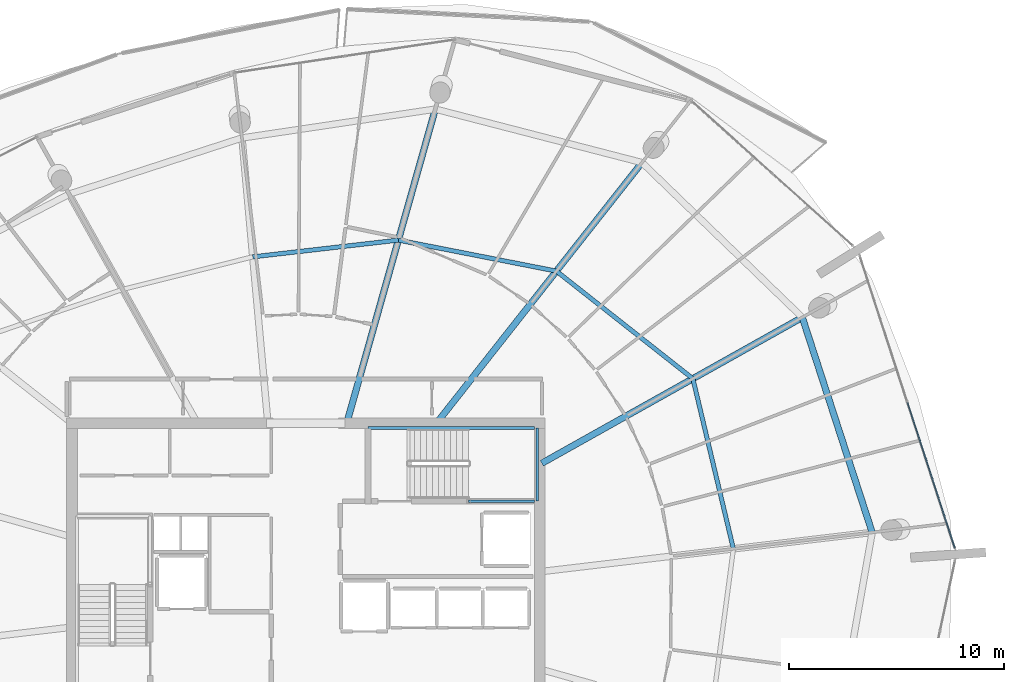
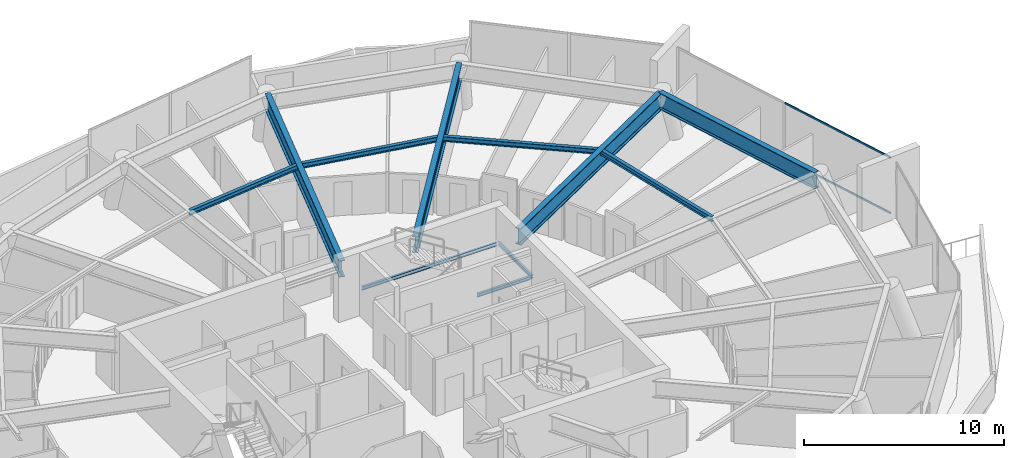
# One storey, part 14 of 30: 11 beams, 2 members, 1 element without a shape of its own.
"""IFC4 building model written with IfcOpenShell, lengths in metres."""

import ifcopenshell
import ifcopenshell.guid

model = None  # the IFC model being written
_history = None  # IfcOwnerHistory: only IFC2X3 demands one
_inside = {}  # id of a spatial element -> (the spatial element, [elements in it])
_under = {}  # id of a project, library or spatial element -> (it, [spatial elements below it])
_declared = {}  # id of a project -> (the project, [libraries it declares])
_typed = {}  # id of a type object -> (the type object, [elements of that type])
_made_of = {}  # id of a material, layer set ... -> (it, [elements and type objects made of it])


def new_model(schema):
    """Start an empty IFC model of exactly this schema.

    Asked for "IFC4X3", IfcOpenShell would pick the latest addendum, in which some entities
    have other attributes; the version numbers below select the first issue.
    IFC2X3 requires an IfcOwnerHistory on every rooted entity: one is made here for all.
    """
    global model, _history
    if schema == "IFC4X3":
        model = ifcopenshell.file(schema_version=(4, 3, 0, 0))
    else:
        model = ifcopenshell.file(schema=schema)
    _inside.clear()
    _under.clear()
    _declared.clear()
    _typed.clear()
    _made_of.clear()
    _history = None
    if model.schema == "IFC2X3":
        org = make("IfcOrganization", Name="unknown")
        user = make(
            "IfcPersonAndOrganization",
            ThePerson=make("IfcPerson", FamilyName="unknown"),
            TheOrganization=org,
        )
        app = make(
            "IfcApplication",
            ApplicationDeveloper=org,
            Version="unknown",
            ApplicationFullName="unknown",
            ApplicationIdentifier="unknown",
        )
        _history = make(
            "IfcOwnerHistory",
            OwningUser=user,
            OwningApplication=app,
            ChangeAction="ADDED",
            CreationDate=0,
        )
    return model


def make(cls, **values):
    """One entity of the class cls with the attributes given. An attribute that is None is left unset."""
    return model.create_entity(
        cls, **{name: value for name, value in values.items() if value is not None}
    )


def rooted(cls, **values):
    """An entity with a GlobalId (a new one), such as an element, a storey or a relation."""
    return make(cls, GlobalId=ifcopenshell.guid.new(), OwnerHistory=_history, **values)


def si_unit(unit_type, name, prefix=None):
    """IfcSIUnit, for example si_unit("LENGTHUNIT", "METRE", prefix="MILLI")."""
    return make("IfcSIUnit", UnitType=unit_type, Prefix=prefix, Name=name)


def assignment(units):
    """IfcUnitAssignment: the units of a project."""
    return None if units is None else make("IfcUnitAssignment", Units=units)


def point(xyz):
    """IfcCartesianPoint."""
    return None if xyz is None else make("IfcCartesianPoint", Coordinates=xyz)


def direction(xyz):
    """IfcDirection."""
    return None if xyz is None else make("IfcDirection", DirectionRatios=xyz)


def frame(location, z_axis=None, x_axis=None):
    """IfcAxis2Placement3D, a coordinate frame: its origin and axes. An axis left out is left unset."""
    return make(
        "IfcAxis2Placement3D",
        Location=point(location),
        Axis=direction(z_axis),
        RefDirection=direction(x_axis),
    )


def frame_2d(location, x_axis=None):
    """IfcAxis2Placement2D, a coordinate frame in the plane: its origin and x axis."""
    return make(
        "IfcAxis2Placement2D", Location=point(location), RefDirection=direction(x_axis)
    )


def origin():
    """The frame at (0, 0, 0) with its axes left unset."""
    return frame((0.0, 0.0, 0.0))


def origin_2d():
    """The frame at (0, 0) in the plane with its x axis left unset."""
    return frame_2d((0.0, 0.0))


def place(relative_to, where):
    """IfcLocalPlacement: puts the frame where relative to a parent placement (None: the world)."""
    return make(
        "IfcLocalPlacement", PlacementRelTo=relative_to, RelativePlacement=where
    )


def context(
    kind, dimensions, precision=None, world=None, true_north=None, identifier=None
):
    """IfcGeometricRepresentationContext, for example the 3D "Model" context."""
    return make(
        "IfcGeometricRepresentationContext",
        ContextIdentifier=identifier,
        ContextType=kind,
        CoordinateSpaceDimension=dimensions,
        Precision=precision,
        WorldCoordinateSystem=world,
        TrueNorth=true_north,
    )


def subcontext(parent, identifier, kind, view, scale=None):
    """IfcGeometricRepresentationSubContext, for example "Body" below "Model"."""
    return make(
        "IfcGeometricRepresentationSubContext",
        ContextIdentifier=identifier,
        ContextType=kind,
        ParentContext=parent,
        TargetScale=scale,
        TargetView=view,
    )


def project(units=None, contexts=None):
    """IfcProject with its units and contexts."""
    return rooted(
        "IfcProject",
        Name="project",
        RepresentationContexts=contexts,
        UnitsInContext=assignment(units),
    )


def spatial(cls, under=None, at=None, **own):
    """A site, building, storey or space (cls), placed at a placement, below another one or the project."""
    s = rooted(cls, ObjectPlacement=at, **own)
    if under is not None:
        _under.setdefault(under.id(), (under, []))[1].append(s)
    return s


def profile(cls, at=None, kind="AREA", **sizes):
    """A parametric profile (cls). Its sizes go by their IFC names, for example OverallWidth=200.0."""
    return make(cls, ProfileType=kind, Position=at, **sizes)


def rectangle(**sizes):
    """IfcRectangleProfileDef."""
    return profile("IfcRectangleProfileDef", **sizes)


def i_section(**sizes):
    """IfcIShapeProfileDef."""
    return profile("IfcIShapeProfileDef", **sizes)


def extrude(swept, where, along, depth):
    """IfcExtrudedAreaSolid: the profile swept, set in the frame where, extruded along a direction by depth."""
    return make(
        "IfcExtrudedAreaSolid",
        SweptArea=swept,
        Position=where,
        ExtrudedDirection=direction(along),
        Depth=depth,
    )


def shape(context_of_items, identifier, shape_type, items):
    """IfcShapeRepresentation: the items that make up one representation, for example the "Body"."""
    return make(
        "IfcShapeRepresentation",
        ContextOfItems=context_of_items,
        RepresentationIdentifier=identifier,
        RepresentationType=shape_type,
        Items=items,
    )


def material(Name=None, Category=None):
    """IfcMaterial."""
    return make("IfcMaterial", Name=Name, Category=Category)


def layer(
    of_material, thickness, ventilated=None, Name=None, Category=None, Priority=None
):
    """IfcMaterialLayer: one layer of a wall or slab, of a material (None: an air gap)."""
    return make(
        "IfcMaterialLayer",
        Material=of_material,
        LayerThickness=thickness,
        IsVentilated=ventilated,
        Name=Name,
        Category=Category,
        Priority=Priority,
    )


def layer_set(layers, Name=None):
    """IfcMaterialLayerSet."""
    return make("IfcMaterialLayerSet", MaterialLayers=layers, LayerSetName=Name)


def material_profile(
    of_material, cross_section, Name=None, Category=None, Priority=None
):
    """IfcMaterialProfile: a cross section and its material."""
    return make(
        "IfcMaterialProfile",
        Name=Name,
        Material=of_material,
        Profile=cross_section,
        Priority=Priority,
        Category=Category,
    )


def profile_set(profiles, Name=None, composite=None):
    """IfcMaterialProfileSet."""
    return make(
        "IfcMaterialProfileSet",
        Name=Name,
        MaterialProfiles=profiles,
        CompositeProfile=composite,
    )


def made_of(thing, what):
    """Note that an element or type object is made of a material, layer set ...; save() writes the relation."""
    if what is not None:
        _made_of.setdefault(what.id(), (what, []))[1].append(thing)
    return thing


def type_object(cls, material=None, **own):
    """A type object (cls), such as IfcWallType, which elements share."""
    return made_of(rooted(cls, **own), material)


def element(
    cls,
    number,
    at=None,
    inside=None,
    cuts=None,
    type_object=None,
    material=None,
    context=None,
    identifier="Body",
    shape_type=None,
    held_by="IfcProductDefinitionShape",
    body=None,
    shapes=None,
    **own,
):
    """One element of the class cls, such as IfcWall. Its Tag is "e" and its number.

    at: its placement. inside: the storey or other place that contains it. cuts: it is an
    opening in that element (IfcRelVoidsElement). A single representation is given by context,
    identifier, shape_type and body (its items); several are given by shapes. held_by: the class
    of the entity that holds the representations. save() writes the other relations.
    """
    e = rooted(cls, Tag="e%d" % number, ObjectPlacement=at, **own)
    if body is not None:
        shapes = [shape(context, identifier, shape_type, body)]
    if shapes is not None:
        e.Representation = make(held_by, Representations=shapes)
    if inside is not None:
        _inside.setdefault(inside.id(), (inside, []))[1].append(e)
    if cuts is not None:
        rooted(
            "IfcRelVoidsElement", RelatingBuildingElement=cuts, RelatedOpeningElement=e
        )
    if type_object is not None:
        _typed.setdefault(type_object.id(), (type_object, []))[1].append(e)
    return made_of(e, material)


def aggregate(whole, parts):
    """IfcRelAggregates: a whole, such as a stair, and the parts it consists of."""
    return rooted("IfcRelAggregates", RelatingObject=whole, RelatedObjects=parts)


def save(model, path):
    """Write the relations noted so far, then the file.

    IfcRelAggregates (storeys below a building ...), IfcRelContainedInSpatialStructure (elements
    in a storey), IfcRelDefinesByType, IfcRelAssociatesMaterial and IfcRelDeclares: one each for
    every whole, place, type object, material and project.
    """
    for whole, parts in _under.values():
        aggregate(whole, parts)
    for where, things in _inside.values():
        rooted(
            "IfcRelContainedInSpatialStructure",
            RelatedElements=things,
            RelatingStructure=where,
        )
    for kind, things in _typed.values():
        rooted("IfcRelDefinesByType", RelatedObjects=things, RelatingType=kind)
    for what, things in _made_of.values():
        rooted("IfcRelAssociatesMaterial", RelatedObjects=things, RelatingMaterial=what)
    for by, libraries in _declared.values():
        rooted("IfcRelDeclares", RelatingContext=by, RelatedDefinitions=libraries)
    model.write(path)


model = new_model("IFC4")

# Units and contexts
model_context = context("Model", 3, precision=1e-05, world=origin(), true_north=direction((0.0, 1.0)))
body_context = subcontext(model_context, "Body", "Model", "MODEL_VIEW")
ifc_project = project(units=[si_unit("LENGTHUNIT", "METRE"), si_unit("AREAUNIT", "SQUARE_METRE"), si_unit("VOLUMEUNIT", "CUBIC_METRE"), si_unit("PLANEANGLEUNIT", "RADIAN"), si_unit("MASSUNIT", "GRAM", prefix="KILO")], contexts=[model_context])

# Site, building, storey
site_placement = place(None, origin())
site = spatial("IfcSite", under=ifc_project, at=site_placement, CompositionType="ELEMENT")
building_placement = place(site_placement, origin())
building = spatial("IfcBuilding", under=site, at=building_placement, Name="Kazma Halo Residences", CompositionType="ELEMENT")
storey_placement = place(building_placement, frame((0.0, 0.0, 302.14990234375)))
storey = spatial("IfcBuildingStorey", under=building, at=storey_placement, Name="L76", CompositionType="ELEMENT", Elevation=302.14990234375)

# Beams
ifc_material_1 = material(Name="Steel S355", Category="steel")
ifc_material_profile_1 = material_profile(ifc_material_1, i_section(OverallWidth=0.202880859375, OverallDepth=0.302978515625, WebThickness=0.007568359375, FlangeThickness=0.01318359375, FilletRadius=0.013916015625, at=origin_2d()), Name="W310x60")
ifc_profile_set_1 = profile_set([ifc_material_profile_1], Name="Steel S355")
beam_type_1 = type_object("IfcBeamType", Name="BM-SEC-W310A", PredefinedType="JOIST", material=ifc_profile_set_1)
beam_1_placement = place(storey_placement, frame((66.429443359375, 52.321044921875, 3.298583984375), z_axis=(-0.785456077734, 0.618917401558, 0.0), x_axis=(-0.618917401558, -0.785456077734, 0.0)))
element("IfcBeam", 1, at=beam_1_placement, inside=storey, type_object=beam_type_1, Name="L76 circumferential floor joist 01", PredefinedType="JOIST", context=body_context, shape_type="SweptSolid", body=[
    extrude(i_section(OverallWidth=0.202880859375, OverallDepth=0.302978515625, WebThickness=0.007568359375, FlangeThickness=0.01318359375, FilletRadius=0.013916015625, at=origin_2d()), origin(), (0.0, 0.0, 1.0), 8.083251953125),
])
beam_2_placement = place(storey_placement, frame((60.080322265625, 57.323974609375, 3.298583984375), z_axis=(-0.981284903068, 0.192561520066, 0.0), x_axis=(-0.192561520066, -0.981284903068, 0.0)))
element("IfcBeam", 2, at=beam_2_placement, inside=storey, type_object=beam_type_1, Name="L76 circumferential floor joist 02", PredefinedType="JOIST", context=body_context, shape_type="SweptSolid", body=[
    extrude(i_section(OverallWidth=0.202880859375, OverallDepth=0.302978515625, WebThickness=0.007568359375, FlangeThickness=0.01318359375, FilletRadius=0.013916015625, at=origin_2d()), origin(), (0.0, 0.0, 1.0), 7.49169921875),
])
beam_3_placement = place(storey_placement, frame((52.728759765625, 58.7666015625, 3.298583984375), z_axis=(-0.993449649716, -0.114270702626, 0.0), x_axis=(0.114270702626, -0.993449649716, 0.0)))
element("IfcBeam", 3, at=beam_3_placement, inside=storey, type_object=beam_type_1, Name="L76 circumferential floor joist 03", PredefinedType="JOIST", context=body_context, shape_type="SweptSolid", body=[
    extrude(i_section(OverallWidth=0.202880859375, OverallDepth=0.302978515625, WebThickness=0.007568359375, FlangeThickness=0.01318359375, FilletRadius=0.013916015625, at=origin_2d()), origin(), (0.0, 0.0, 1.0), 6.817626953125),
])
beam_4_placement = place(storey_placement, frame((68.314697265625, 44.404296875, 3.298583984375), z_axis=(-0.231657028821, 0.972797523125, 0.0), x_axis=(-0.972797523125, -0.231657028821, 0.0)))
element("IfcBeam", 4, at=beam_4_placement, inside=storey, type_object=beam_type_1, Name="L76 circumferential floor joist 16", PredefinedType="JOIST", context=body_context, shape_type="SweptSolid", body=[
    extrude(i_section(OverallWidth=0.202880859375, OverallDepth=0.302978515625, WebThickness=0.007568359375, FlangeThickness=0.01318359375, FilletRadius=0.013916015625, at=origin_2d()), origin(), (0.0, 0.0, 1.0), 8.13818359375),
])
ifc_material_profile_2 = material_profile(ifc_material_1, i_section(OverallWidth=0.302001953125, OverallDepth=1.01806640625, WebThickness=0.021484375, FlangeThickness=0.049072265625, FilletRadius=0.028076171875, at=origin_2d()), Name="W1000x443")
ifc_profile_set_2 = profile_set([ifc_material_profile_2], Name="Steel S355")
beam_type_2 = type_object("IfcBeamType", Name="BM-TRANS-W1000A", PredefinedType="BEAM", material=ifc_profile_set_2)
beam_5_placement = place(storey_placement, frame((59.39990234375, 48.38427734375, 2.941162109375), z_axis=(0.872499122682, 0.488615678135, 0.0), x_axis=(-0.488615678135, 0.872499122682, 0.0)))
element("IfcBeam", 5, at=beam_5_placement, inside=storey, type_object=beam_type_2, Name="L76 podium radial transfer girder 01", PredefinedType="BEAM", context=body_context, shape_type="SweptSolid", body=[
    extrude(i_section(OverallWidth=0.302001953125, OverallDepth=1.01806640625, WebThickness=0.021484375, FlangeThickness=0.049072265625, FilletRadius=0.028076171875, at=origin_2d()), origin(), (0.0, 0.0, 1.0), 13.890869140625),
])
beam_6_placement = place(storey_placement, frame((54.58251953125, 50.35009765625, 2.941162109375), z_axis=(0.619098183755, 0.785313592694, 0.0), x_axis=(-0.785313592694, 0.619098183755, 0.0)))
element("IfcBeam", 6, at=beam_6_placement, inside=storey, type_object=beam_type_2, Name="L76 podium radial transfer girder 02", PredefinedType="BEAM", context=body_context, shape_type="SweptSolid", body=[
    extrude(i_section(OverallWidth=0.302001953125, OverallDepth=1.01806640625, WebThickness=0.021484375, FlangeThickness=0.049072265625, FilletRadius=0.028076171875, at=origin_2d()), origin(), (0.0, 0.0, 1.0), 15.31103515625),
])
beam_7_placement = place(storey_placement, frame((50.35498046875, 50.35009765625, 2.941162109375), z_axis=(0.271436704395, 0.962456292778, 0.0), x_axis=(-0.962456292778, 0.271436704395, 0.0)))
element("IfcBeam", 7, at=beam_7_placement, inside=storey, type_object=beam_type_2, Name="L76 podium radial transfer girder 03", PredefinedType="BEAM", context=body_context, shape_type="SweptSolid", body=[
    extrude(i_section(OverallWidth=0.302001953125, OverallDepth=1.01806640625, WebThickness=0.021484375, FlangeThickness=0.049072265625, FilletRadius=0.028076171875, at=origin_2d()), origin(), (0.0, 0.0, 1.0), 15.077392578125),
])
ifc_material_profile_3 = material_profile(ifc_material_1, i_section(OverallWidth=0.300048828125, OverallDepth=1.0, WebThickness=0.01904296875, FlangeThickness=0.0400390625, FilletRadius=0.02587890625, at=origin_2d()), Name="W1000x371")
ifc_profile_set_3 = profile_set([ifc_material_profile_3], Name="Steel S355")
beam_type_3 = type_object("IfcBeamType", Name="BM-TRANS-W1000B", PredefinedType="BEAM", material=ifc_profile_set_3)
beam_8_placement = place(storey_placement, frame((74.77001953125, 45.16845703125, 2.9501953125), z_axis=(-0.309018365076, 0.951056070926, 0.0), x_axis=(-0.951056070926, -0.309018365076, 0.0)))
element("IfcBeam", 8, at=beam_8_placement, inside=storey, type_object=beam_type_3, Name="L76 perimeter ring beam 16", PredefinedType="BEAM", context=body_context, shape_type="SweptSolid", body=[
    extrude(i_section(OverallWidth=0.300048828125, OverallDepth=1.0, WebThickness=0.01904296875, FlangeThickness=0.0400390625, FilletRadius=0.02587890625, at=origin_2d()), origin(), (0.0, 0.0, 1.0), 10.51806640625),
])
ifc_material_profile_4 = material_profile(ifc_material_1, i_section(OverallWidth=0.133056640625, OverallDepth=0.20703125, WebThickness=0.005859375, FlangeThickness=0.00830078125, FilletRadius=0.010009765625, at=origin_2d()), Name="W200x26.6")
ifc_profile_set_4 = profile_set([ifc_material_profile_4], Name="Steel S355")
beam_type_4 = type_object("IfcBeamType", Name="BM-TRIM-W200", PredefinedType="BEAM", material=ifc_profile_set_4)
beam_9_placement = place(storey_placement, frame((51.31005859375, 50.02001953125, 1.6201171875), z_axis=(1.0, 0.0, 0.0), x_axis=(0.0, 1.0, 0.0)))
element("IfcBeam", 9, at=beam_9_placement, inside=storey, type_object=beam_type_4, Name="L76 ST-02 landing north wall ledger", PredefinedType="BEAM", context=body_context, shape_type="SweptSolid", body=[
    extrude(i_section(OverallWidth=0.133056640625, OverallDepth=0.20703125, WebThickness=0.005859375, FlangeThickness=0.00830078125, FilletRadius=0.010009765625, at=origin_2d()), origin(), (0.0, 0.0, 1.0), 7.760009765625),
])
beam_10_placement = place(storey_placement, frame((56.0, 46.6201171875, 1.6201171875), z_axis=(1.0, 0.0, 0.0), x_axis=(0.0, 1.0, 0.0)))
element("IfcBeam", 10, at=beam_10_placement, inside=storey, type_object=beam_type_4, Name="L76 ST-02 landing south wall ledger", PredefinedType="BEAM", context=body_context, shape_type="SweptSolid", body=[
    extrude(i_section(OverallWidth=0.133056640625, OverallDepth=0.20703125, WebThickness=0.005859375, FlangeThickness=0.00830078125, FilletRadius=0.010009765625, at=origin_2d()), origin(), (0.0, 0.0, 1.0), 3.070068359375),
])
beam_11_placement = place(storey_placement, frame((59.18994140625, 46.6201171875, 1.6201171875), z_axis=(0.0, 1.0, 0.0), x_axis=(-1.0, 0.0, 0.0)))
element("IfcBeam", 11, at=beam_11_placement, inside=storey, type_object=beam_type_4, Name="L76 ST-02 landing end wall ledger", PredefinedType="BEAM", context=body_context, shape_type="SweptSolid", body=[
    extrude(i_section(OverallWidth=0.133056640625, OverallDepth=0.20703125, WebThickness=0.005859375, FlangeThickness=0.00830078125, FilletRadius=0.010009765625, at=origin_2d()), origin(), (0.0, 0.0, 1.0), 3.39990234375),
])

# Curtain wall, members
ifc_material_2 = material(Name="Aluminium AW-6063 T6 and Triple-Silver Low-E Glass", Category="aluminium")
ifc_layer = layer(ifc_material_2, 0.139892578125)
ifc_layer_set = layer_set([ifc_layer], Name="Aluminium AW-6063 T6 and Triple-Silver Low-E Glass")
curtain_wall_type = type_object("IfcCurtainWallType", Name="CW-SYS-5", PredefinedType="NOTDEFINED", material=ifc_layer_set)
curtain_wall_placement = place(storey_placement, origin())
curtain_wall = element("IfcCurtainWall", 12, at=curtain_wall_placement, inside=storey, type_object=curtain_wall_type, Name="L76 unitised curtain wall B16", PredefinedType="NOTDEFINED")
ifc_material_3 = material(Name="Aluminium AW-6063 T6", Category="aluminium")
ifc_material_profile_5 = material_profile(ifc_material_3, rectangle(XDim=0.06005859375, YDim=0.10498046875, at=origin_2d()), Name="CWT-60x105")
ifc_profile_set_5 = profile_set([ifc_material_profile_5], Name="Aluminium AW-6063 T6")
member_type = type_object("IfcMemberType", Name="CW-SYS-5-TRN", PredefinedType="USERDEFINED", material=ifc_profile_set_5)
member_1_placement = place(storey_placement, frame((78.613525390625, 44.44091796875, 0.030029296875), z_axis=(-0.308995987448, 0.951063341603, 0.0), x_axis=(-0.951063341603, -0.308995987448, 0.0)))
member_1 = element("IfcMember", 13, at=member_1_placement, type_object=member_type, Name="CWS-5 transom 1.1", ObjectType="TRANSOM", PredefinedType="USERDEFINED", context=body_context, shape_type="SweptSolid", body=[
    extrude(rectangle(XDim=0.06005859375, YDim=0.10498046875, at=origin_2d()), origin(), (0.0, 0.0, 1.0), 7.108642578125),
])
member_2_placement = place(storey_placement, frame((78.613525390625, 44.44091796875, 3.420166015625), z_axis=(-0.308995987448, 0.951063341603, 0.0), x_axis=(-0.951063341603, -0.308995987448, 0.0)))
member_2 = element("IfcMember", 14, at=member_2_placement, type_object=member_type, Name="CWS-5 transom 1.2", ObjectType="TRANSOM", PredefinedType="USERDEFINED", context=body_context, shape_type="SweptSolid", body=[
    extrude(rectangle(XDim=0.06005859375, YDim=0.10498046875, at=origin_2d()), origin(), (0.0, 0.0, 1.0), 7.108642578125),
])
aggregate(curtain_wall, [member_1, member_2])

save(model, "model.ifc")
